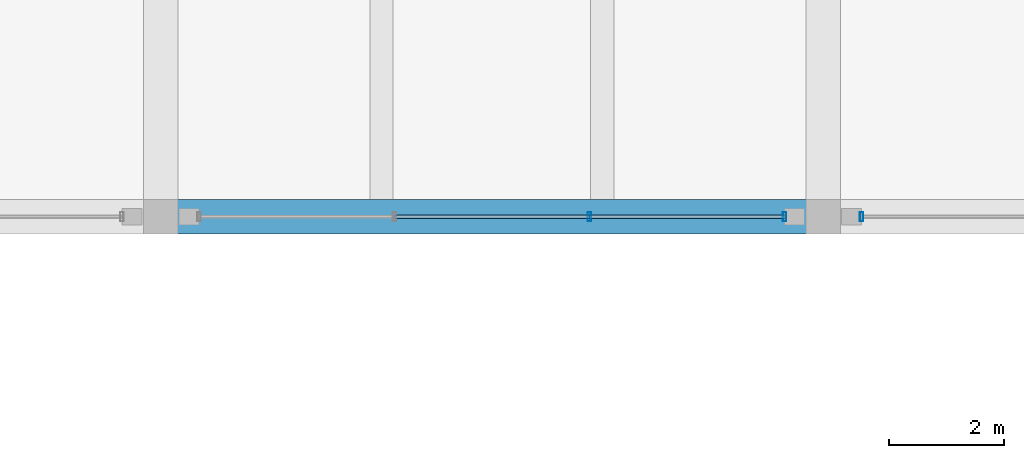
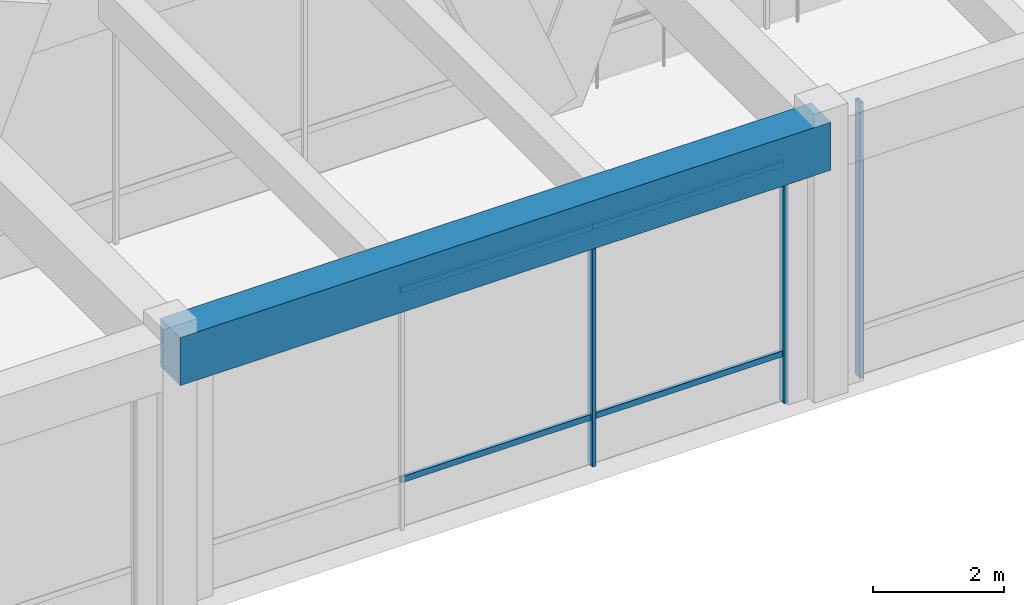
# One storey, part 88 of 148: 7 members, 1 beam, 2 elements without a shape of their own.
"""IFC4 building model written with IfcOpenShell, lengths in metres."""

from ifc_helpers import new_model, si_unit, direction, frame, origin, origin_2d, place, context, subcontext, project, spatial, rectangle, hollow_rectangle, extrude, material, material_profile, profile_set, type_object, element, aggregate, save


model = new_model("IFC4")

# Units and contexts
model_context = context("Model", 3, precision=1e-05, world=origin(), true_north=direction((0.0, 1.0)))
body_context = subcontext(model_context, "Body", "Model", "MODEL_VIEW")
ifc_project = project(units=[si_unit("LENGTHUNIT", "METRE"), si_unit("AREAUNIT", "SQUARE_METRE"), si_unit("VOLUMEUNIT", "CUBIC_METRE"), si_unit("PLANEANGLEUNIT", "RADIAN"), si_unit("MASSUNIT", "GRAM", prefix="KILO")], contexts=[model_context])

# Site, building, storey
site_placement = place(None, origin())
site = spatial("IfcSite", under=ifc_project, at=site_placement, CompositionType="ELEMENT")
building_placement = place(site_placement, origin())
building = spatial("IfcBuilding", under=site, at=building_placement, Name="Ologun Quay Terminus", CompositionType="ELEMENT")
storey_placement = place(building_placement, frame((0.0, 0.0, 8.39990234375)))
storey = spatial("IfcBuildingStorey", under=building, at=storey_placement, Name="L02", CompositionType="ELEMENT", Elevation=8.39990234375)

# Curtain wall, members
ifc_material_1 = material(Name="Aluminium 6063-T6", Category="aluminium")
curtain_wall_type = type_object("IfcCurtainWallType", Name="Concourse Departure Curtain Wall 10700x4950", PredefinedType="USERDEFINED", material=ifc_material_1)
curtain_wall_1_placement = place(storey_placement, origin())
curtain_wall_1 = element("IfcCurtainWall", 1, at=curtain_wall_1_placement, inside=storey, type_object=curtain_wall_type, Name="CW-05 Curtain Wall CW-L02-031", ObjectType="UNITISED CURTAIN WALL", PredefinedType="USERDEFINED")
ifc_material_2 = material(Name="Aluminium 6063-T6", Category="aluminium")
ifc_material_profile_1 = material_profile(ifc_material_2, hollow_rectangle(XDim=0.06005859375, YDim=0.159912109375, WallThickness=0.00390625, at=origin_2d()), Name="ALU 160x60x4")
ifc_profile_set_1 = profile_set([ifc_material_profile_1], Name="Aluminium 6063-T6")
member_type_1 = type_object("IfcMemberType", Name="Curtain Wall Standard Mullion 160x65", PredefinedType="MULLION", material=ifc_profile_set_1)
member_1_placement = place(storey_placement, frame((145.443359375, 27.199951171875, 0.0), z_axis=(0.0, 0.0, 1.0), x_axis=(1.0, 0.0, 0.0)))
member_1 = element("IfcMember", 2, at=member_1_placement, type_object=member_type_1, Name="CW-L02-031 Mullion 3", PredefinedType="MULLION", context=body_context, shape_type="SweptSolid", body=[
    extrude(hollow_rectangle(XDim=0.06005859375, YDim=0.159912109375, WallThickness=0.00390625, at=origin_2d()), origin(), (0.0, 0.0, 1.0), 5.14013671875),
])
member_2_placement = place(storey_placement, frame((148.830078125, 27.199951171875, 0.0), z_axis=(0.0, 0.0, 1.0), x_axis=(1.0, 0.0, 0.0)))
member_2 = element("IfcMember", 3, at=member_2_placement, type_object=member_type_1, Name="CW-L02-031 Mullion 4", PredefinedType="MULLION", context=body_context, shape_type="SweptSolid", body=[
    extrude(hollow_rectangle(XDim=0.06005859375, YDim=0.159912109375, WallThickness=0.00390625, at=origin_2d()), origin(), (0.0, 0.0, 1.0), 5.14013671875),
])

# Curtain wall, member
curtain_wall_2_placement = place(storey_placement, origin())
curtain_wall_2 = element("IfcCurtainWall", 4, at=curtain_wall_2_placement, inside=storey, type_object=curtain_wall_type, Name="CW-05 Curtain Wall CW-L02-032", ObjectType="UNITISED CURTAIN WALL", PredefinedType="USERDEFINED")
member_3_placement = place(storey_placement, frame((150.169921875, 27.199951171875, 0.0), z_axis=(0.0, 0.0, 1.0), x_axis=(1.0, 0.0, 0.0)))
member_3 = element("IfcMember", 5, at=member_3_placement, type_object=member_type_1, Name="CW-L02-032 Mullion 1", PredefinedType="MULLION", context=body_context, shape_type="SweptSolid", body=[
    extrude(hollow_rectangle(XDim=0.06005859375, YDim=0.159912109375, WallThickness=0.00390625, at=origin_2d()), origin(), (0.0, 0.0, 1.0), 5.14013671875),
])
aggregate(curtain_wall_2, [member_3])

# Member
ifc_material_3 = material(Name="Aluminium 6063-T6", Category="aluminium")
ifc_material_profile_2 = material_profile(ifc_material_3, hollow_rectangle(XDim=0.054931640625, YDim=0.110107421875, WallThickness=0.00390625, at=origin_2d()), Name="ALU 110x55x4")
ifc_profile_set_2 = profile_set([ifc_material_profile_2], Name="Aluminium 6063-T6")
member_type_2 = type_object("IfcMemberType", Name="Curtain Wall Standard Transom 110x55", PredefinedType="USERDEFINED", material=ifc_profile_set_2)
member_4_placement = place(storey_placement, frame((142.056640625, 27.199951171875, 0.900146484375), z_axis=(1.0, 0.0, 0.0), x_axis=(0.0, 1.0, 0.0)))
member_4 = element("IfcMember", 6, at=member_4_placement, type_object=member_type_2, Name="CW-L02-031 Transom B2-1", ObjectType="TRANSOM", PredefinedType="USERDEFINED", context=body_context, shape_type="SweptSolid", body=[
    extrude(hollow_rectangle(XDim=0.054931640625, YDim=0.110107421875, WallThickness=0.00390625, at=origin_2d()), origin(), (0.0, 0.0, 1.0), 3.38671875),
])

member_5_placement = place(storey_placement, frame((142.056640625, 27.199951171875, 4.440185546875), z_axis=(1.0, 0.0, 0.0), x_axis=(0.0, 1.0, 0.0)))
member_5 = element("IfcMember", 7, at=member_5_placement, type_object=member_type_2, Name="CW-L02-031 Transom B2-2", ObjectType="TRANSOM", PredefinedType="USERDEFINED", context=body_context, shape_type="SweptSolid", body=[
    extrude(hollow_rectangle(XDim=0.054931640625, YDim=0.110107421875, WallThickness=0.00390625, at=origin_2d()), origin(), (0.0, 0.0, 1.0), 3.38671875),
])

member_6_placement = place(storey_placement, frame((145.443359375, 27.199951171875, 0.900146484375), z_axis=(1.0, 0.0, 0.0), x_axis=(0.0, 1.0, 0.0)))
member_6 = element("IfcMember", 8, at=member_6_placement, type_object=member_type_2, Name="CW-L02-031 Transom B3-1", ObjectType="TRANSOM", PredefinedType="USERDEFINED", context=body_context, shape_type="SweptSolid", body=[
    extrude(hollow_rectangle(XDim=0.054931640625, YDim=0.110107421875, WallThickness=0.00390625, at=origin_2d()), origin(), (0.0, 0.0, 1.0), 3.38671875),
])

member_7_placement = place(storey_placement, frame((145.443359375, 27.199951171875, 4.440185546875), z_axis=(1.0, 0.0, 0.0), x_axis=(0.0, 1.0, 0.0)))
member_7 = element("IfcMember", 9, at=member_7_placement, type_object=member_type_2, Name="CW-L02-031 Transom B3-2", ObjectType="TRANSOM", PredefinedType="USERDEFINED", context=body_context, shape_type="SweptSolid", body=[
    extrude(hollow_rectangle(XDim=0.054931640625, YDim=0.110107421875, WallThickness=0.00390625, at=origin_2d()), origin(), (0.0, 0.0, 1.0), 3.38671875),
])

aggregate(curtain_wall_1, [member_1, member_2, member_4, member_5, member_6, member_7])

# Beam
ifc_material_4 = material(Name="Concrete C40/50", Category="concrete")
ifc_material_profile_3 = material_profile(ifc_material_4, rectangle(XDim=0.60009765625, YDim=0.89990234375, at=origin_2d()), Name="RC 600x900")
ifc_profile_set_3 = profile_set([ifc_material_profile_3], Name="Concrete C40/50")
beam_type = type_object("IfcBeamType", Name="Station Frame Girder 600x900", PredefinedType="BEAM", material=ifc_profile_set_3)
beam_placement = place(storey_placement, frame((138.0, 27.199951171875, 4.7001953125), z_axis=(1.0, 0.0, 0.0), x_axis=(0.0, 1.0, 0.0)))
element("IfcBeam", 10, at=beam_placement, inside=storey, type_object=beam_type, Name="B3 Beam 13/D L02", PredefinedType="BEAM", context=body_context, shape_type="SweptSolid", body=[
    extrude(rectangle(XDim=0.60009765625, YDim=0.89990234375, at=origin_2d()), origin(), (0.0, 0.0, 1.0), 11.5),
])

save(model, "model.ifc")
